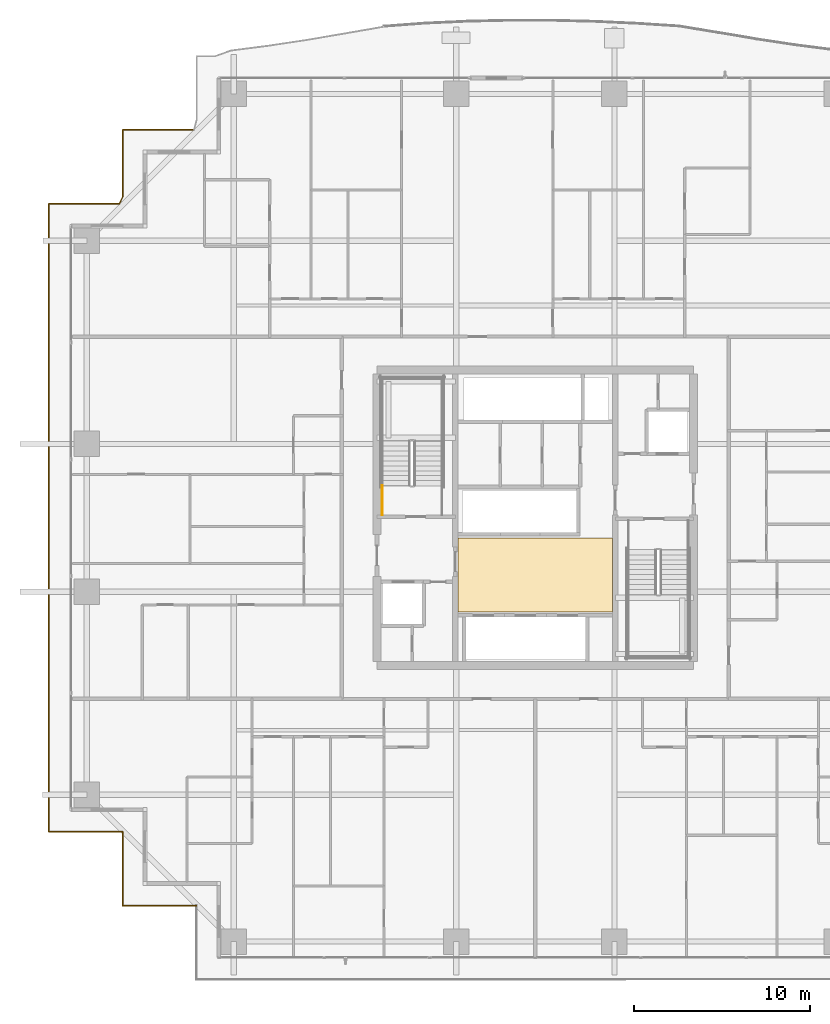
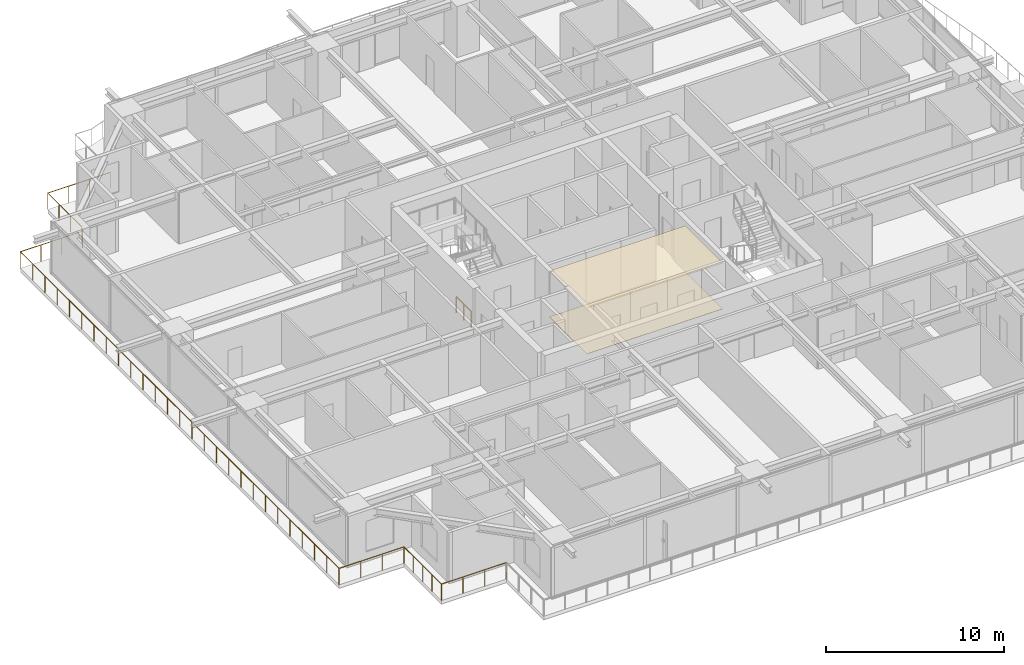
# One storey, part 35 of 39: 2 coverings, 2 railings.
"""IFC4 building model written with IfcOpenShell, lengths in metres."""

from ifc_helpers import new_model, si_unit, direction, frame, origin, origin_2d, place, context, subcontext, project, spatial, polyline, circle, outline, extrude, material, layer, layer_set, type_object, element, save


model = new_model("IFC4")

# Units and contexts
model_context = context("Model", 3, precision=1e-05, world=origin(), true_north=direction((0.0, 1.0)))
body_context = subcontext(model_context, "Body", "Model", "MODEL_VIEW")
ifc_project = project(units=[si_unit("LENGTHUNIT", "METRE"), si_unit("AREAUNIT", "SQUARE_METRE"), si_unit("VOLUMEUNIT", "CUBIC_METRE"), si_unit("PLANEANGLEUNIT", "RADIAN"), si_unit("MASSUNIT", "GRAM", prefix="KILO")], contexts=[model_context])

# Site, building, storey
site_placement = place(None, origin())
site = spatial("IfcSite", under=ifc_project, at=site_placement, CompositionType="ELEMENT")
building_placement = place(site_placement, origin())
building = spatial("IfcBuilding", under=site, at=building_placement, Name="Serunith Strait Residences", CompositionType="ELEMENT")
storey_placement = place(building_placement, frame((0.0, 0.0, 97.949951171875)))
storey = spatial("IfcBuildingStorey", under=building, at=storey_placement, Name="L24", CompositionType="ELEMENT", Elevation=97.949951171875)

# Coverings
ifc_material_1 = material(Name="Perforated acoustic gypsum ceiling tile")
ifc_layer_1 = layer(ifc_material_1, 0.02490234375, Name="Perforated acoustic gypsum ceiling tile")
ifc_layer_set_1 = layer_set([ifc_layer_1], Name="Perforated acoustic gypsum ceiling tile")
covering_type_1 = type_object("IfcCoveringType", Name="COV-CEIL-AC60", PredefinedType="CEILING", material=ifc_layer_set_1)
covering_1_placement = place(storey_placement, frame((0.0, 0.0, 3.14013671875)))
element("IfcCovering", 1, at=covering_1_placement, inside=storey, type_object=covering_type_1, Name="L24 Lift Lobby Acoustic Ceiling", PredefinedType="CEILING", context=body_context, shape_type="SweptSolid", body=[
    extrude(outline(polyline([(28.0, 19.85009765625), (36.800048828125, 19.85009765625), (36.800048828125, 24.050048828125), (28.0, 24.050048828125), (28.0, 19.85009765625)])), origin(), (0.0, 0.0, 1.0), 0.02490234375),
])
ifc_material_2 = material(Name="Honed limestone terrazzo flooring", Category="masonry")
ifc_layer_2 = layer(ifc_material_2, 0.02001953125, Name="Honed limestone terrazzo flooring")
ifc_layer_set_2 = layer_set([ifc_layer_2], Name="Honed limestone terrazzo flooring")
covering_type_2 = type_object("IfcCoveringType", Name="COV-FLOOR-TER40", PredefinedType="FLOORING", material=ifc_layer_set_2)
covering_2_placement = place(storey_placement, origin())
element("IfcCovering", 2, at=covering_2_placement, inside=storey, type_object=covering_type_2, Name="L24 Lift Lobby Terrazzo Flooring", PredefinedType="FLOORING", context=body_context, shape_type="SweptSolid", body=[
    extrude(outline(polyline([(28.0, 19.85009765625), (36.800048828125, 19.85009765625), (36.800048828125, 24.050048828125), (28.0, 24.050048828125), (28.0, 19.85009765625)])), origin(), (0.0, 0.0, 1.0), 0.02001953125),
])

# Railings
ifc_material_3 = material(Name="Stainless Steel & Laminated Glass Balustrade", Category="steel")
railing_type_1 = type_object("IfcRailingType", Name="RLG-BALC-1150", PredefinedType="BALUSTRADE", material=ifc_material_3)
railing_1_placement = place(storey_placement, frame((13.139892578125, 3.139892578125, -0.050048828125)))
element("IfcRailing", 3, at=railing_1_placement, inside=storey, type_object=railing_type_1, Name="L24 Swirling Balcony Perimeter Balustrade 8", PredefinedType="BALUSTRADE", context=body_context, shape_type="SweptSolid", body=[
    extrude(circle(Radius=0.02392578125, at=origin_2d()), frame((-0.001953125, 0.0, 1.1259765625), z_axis=(-1.0, 0.0, 0.0), x_axis=(0.0, -1.0, 0.0)), (0.0, 0.0, 1.0), 4.196044921875),
    extrude(circle(Radius=0.02392578125, at=origin_2d()), frame((-4.199951171875, 0.001953125, 1.1259765625), z_axis=(0.0, 1.0, 0.0), x_axis=(-1.0, 0.0, 0.0)), (0.0, 0.0, 1.0), 4.1962890625),
    extrude(circle(Radius=0.02392578125, at=origin_2d()), frame((-4.201904296875, 4.2001953125, 1.1259765625), z_axis=(-1.0, 0.0, 0.0), x_axis=(0.0, -1.0, 0.0)), (0.0, 0.0, 1.0), 4.196044921875),
    extrude(circle(Radius=0.02392578125, at=origin_2d()), frame((-8.39990234375, 4.2021484375, 1.1259765625), z_axis=(0.0, 1.0, 0.0), x_axis=(-1.0, 0.0, 0.0)), (0.0, 0.0, 1.0), 35.716064453125),
    extrude(circle(Radius=0.02392578125, at=origin_2d()), frame((-8.39794921875, 39.920166015625, 1.1259765625), z_axis=(1.0, 0.0, 0.0), x_axis=(0.0, 1.0, 0.0)), (0.0, 0.0, 1.0), 4.014892578125),
    extrude(circle(Radius=0.02392578125, at=origin_2d()), frame((-4.38037109375, 39.921875, 1.1259765625), z_axis=(0.414518347731, 0.91004095479, 0.0), x_axis=(-0.91004095479, 0.414518347731, 0.0)), (0.0, 0.0, 1.0), 0.43310546875),
    extrude(circle(Radius=0.02392578125, at=origin_2d()), frame((-4.199951171875, 40.31982421875, 1.1259765625), z_axis=(0.0, 1.0, 0.0), x_axis=(-1.0, 0.0, 0.0)), (0.0, 0.0, 1.0), 3.79833984375),
    extrude(circle(Radius=0.02392578125, at=origin_2d()), frame((-4.197998046875, 44.1201171875, 1.1259765625), z_axis=(1.0, 0.0, 0.0), x_axis=(0.0, 1.0, 0.0)), (0.0, 0.0, 1.0), 4.038818359375),
    extrude(circle(Radius=0.02099609375, at=origin_2d()), origin(), (0.0, 0.0, 1.0), 1.099853515625),
    extrude(circle(Radius=0.02099609375, at=origin_2d()), frame((-1.39990234375, 0.0, 0.0)), (0.0, 0.0, 1.0), 1.099853515625),
    extrude(circle(Radius=0.02099609375, at=origin_2d()), frame((-2.800048828125, 0.0, 0.0)), (0.0, 0.0, 1.0), 1.099853515625),
    extrude(circle(Radius=0.02099609375, at=origin_2d()), frame((-4.199951171875, 0.0, 0.0)), (0.0, 0.0, 1.0), 1.099853515625),
    extrude(circle(Radius=0.02099609375, at=origin_2d()), frame((-4.199951171875, 1.050048828125, 0.0)), (0.0, 0.0, 1.0), 1.099853515625),
    extrude(circle(Radius=0.02099609375, at=origin_2d()), frame((-4.199951171875, 2.10009765625, 0.0)), (0.0, 0.0, 1.0), 1.099853515625),
    extrude(circle(Radius=0.02099609375, at=origin_2d()), frame((-4.199951171875, 3.150146484375, 0.0)), (0.0, 0.0, 1.0), 1.099853515625),
    extrude(circle(Radius=0.02099609375, at=origin_2d()), frame((-4.199951171875, 4.2001953125, 0.0)), (0.0, 0.0, 1.0), 1.099853515625),
    extrude(circle(Radius=0.02099609375, at=origin_2d()), frame((-5.599853515625, 4.2001953125, 0.0)), (0.0, 0.0, 1.0), 1.099853515625),
    extrude(circle(Radius=0.02099609375, at=origin_2d()), frame((-7.0, 4.2001953125, 0.0)), (0.0, 0.0, 1.0), 1.099853515625),
    extrude(circle(Radius=0.02099609375, at=origin_2d()), frame((-8.39990234375, 4.2001953125, 0.0)), (0.0, 0.0, 1.0), 1.099853515625),
    extrude(circle(Radius=0.02099609375, at=origin_2d()), frame((-8.39990234375, 5.573974609375, 0.0)), (0.0, 0.0, 1.0), 1.099853515625),
    extrude(circle(Radius=0.02099609375, at=origin_2d()), frame((-8.39990234375, 6.947998046875, 0.0)), (0.0, 0.0, 1.0), 1.099853515625),
    extrude(circle(Radius=0.02099609375, at=origin_2d()), frame((-8.39990234375, 8.32177734375, 0.0)), (0.0, 0.0, 1.0), 1.099853515625),
    extrude(circle(Radius=0.02099609375, at=origin_2d()), frame((-8.39990234375, 9.695556640625, 0.0)), (0.0, 0.0, 1.0), 1.099853515625),
    extrude(circle(Radius=0.02099609375, at=origin_2d()), frame((-8.39990234375, 11.0693359375, 0.0)), (0.0, 0.0, 1.0), 1.099853515625),
    extrude(circle(Radius=0.02099609375, at=origin_2d()), frame((-8.39990234375, 12.443359375, 0.0)), (0.0, 0.0, 1.0), 1.099853515625),
    extrude(circle(Radius=0.02099609375, at=origin_2d()), frame((-8.39990234375, 13.817138671875, 0.0)), (0.0, 0.0, 1.0), 1.099853515625),
    extrude(circle(Radius=0.02099609375, at=origin_2d()), frame((-8.39990234375, 15.19091796875, 0.0)), (0.0, 0.0, 1.0), 1.099853515625),
    extrude(circle(Radius=0.02099609375, at=origin_2d()), frame((-8.39990234375, 16.564697265625, 0.0)), (0.0, 0.0, 1.0), 1.099853515625),
    extrude(circle(Radius=0.02099609375, at=origin_2d()), frame((-8.39990234375, 17.938720703125, 0.0)), (0.0, 0.0, 1.0), 1.099853515625),
    extrude(circle(Radius=0.02099609375, at=origin_2d()), frame((-8.39990234375, 19.3125, 0.0)), (0.0, 0.0, 1.0), 1.099853515625),
    extrude(circle(Radius=0.02099609375, at=origin_2d()), frame((-8.39990234375, 20.686279296875, 0.0)), (0.0, 0.0, 1.0), 1.099853515625),
    extrude(circle(Radius=0.02099609375, at=origin_2d()), frame((-8.39990234375, 22.06005859375, 0.0)), (0.0, 0.0, 1.0), 1.099853515625),
    extrude(circle(Radius=0.02099609375, at=origin_2d()), frame((-8.39990234375, 23.43408203125, 0.0)), (0.0, 0.0, 1.0), 1.099853515625),
    extrude(circle(Radius=0.02099609375, at=origin_2d()), frame((-8.39990234375, 24.807861328125, 0.0)), (0.0, 0.0, 1.0), 1.099853515625),
    extrude(circle(Radius=0.02099609375, at=origin_2d()), frame((-8.39990234375, 26.181640625, 0.0)), (0.0, 0.0, 1.0), 1.099853515625),
    extrude(circle(Radius=0.02099609375, at=origin_2d()), frame((-8.39990234375, 27.5556640625, 0.0)), (0.0, 0.0, 1.0), 1.099853515625),
    extrude(circle(Radius=0.02099609375, at=origin_2d()), frame((-8.39990234375, 28.929443359375, 0.0)), (0.0, 0.0, 1.0), 1.099853515625),
    extrude(circle(Radius=0.02099609375, at=origin_2d()), frame((-8.39990234375, 30.30322265625, 0.0)), (0.0, 0.0, 1.0), 1.099853515625),
    extrude(circle(Radius=0.02099609375, at=origin_2d()), frame((-8.39990234375, 31.677001953125, 0.0)), (0.0, 0.0, 1.0), 1.099853515625),
    extrude(circle(Radius=0.02099609375, at=origin_2d()), frame((-8.39990234375, 33.051025390625, 0.0)), (0.0, 0.0, 1.0), 1.099853515625),
    extrude(circle(Radius=0.02099609375, at=origin_2d()), frame((-8.39990234375, 34.4248046875, 0.0)), (0.0, 0.0, 1.0), 1.099853515625),
    extrude(circle(Radius=0.02099609375, at=origin_2d()), frame((-8.39990234375, 35.798583984375, 0.0)), (0.0, 0.0, 1.0), 1.099853515625),
    extrude(circle(Radius=0.02099609375, at=origin_2d()), frame((-8.39990234375, 37.17236328125, 0.0)), (0.0, 0.0, 1.0), 1.099853515625),
    extrude(circle(Radius=0.02099609375, at=origin_2d()), frame((-8.39990234375, 38.54638671875, 0.0)), (0.0, 0.0, 1.0), 1.099853515625),
    extrude(circle(Radius=0.02099609375, at=origin_2d()), frame((-8.39990234375, 39.920166015625, 0.0)), (0.0, 0.0, 1.0), 1.099853515625),
    extrude(circle(Radius=0.02099609375, at=origin_2d()), frame((-7.060302734375, 39.920166015625, 0.0)), (0.0, 0.0, 1.0), 1.099853515625),
    extrude(circle(Radius=0.02099609375, at=origin_2d()), frame((-5.720703125, 39.920166015625, 0.0)), (0.0, 0.0, 1.0), 1.099853515625),
    extrude(circle(Radius=0.02099609375, at=origin_2d()), frame((-4.381103515625, 39.920166015625, 0.0)), (0.0, 0.0, 1.0), 1.099853515625),
    extrude(circle(Radius=0.02099609375, at=origin_2d()), frame((-4.199951171875, 40.31787109375, 0.0)), (0.0, 0.0, 1.0), 1.099853515625),
    extrude(circle(Radius=0.02099609375, at=origin_2d()), frame((-4.199951171875, 41.585205078125, 0.0)), (0.0, 0.0, 1.0), 1.099853515625),
    extrude(circle(Radius=0.02099609375, at=origin_2d()), frame((-4.199951171875, 42.852783203125, 0.0)), (0.0, 0.0, 1.0), 1.099853515625),
    extrude(circle(Radius=0.02099609375, at=origin_2d()), frame((-4.199951171875, 44.1201171875, 0.0)), (0.0, 0.0, 1.0), 1.099853515625),
    extrude(circle(Radius=0.02099609375, at=origin_2d()), frame((-2.852294921875, 44.1201171875, 0.0)), (0.0, 0.0, 1.0), 1.099853515625),
    extrude(circle(Radius=0.02099609375, at=origin_2d()), frame((-1.5048828125, 44.1201171875, 0.0)), (0.0, 0.0, 1.0), 1.099853515625),
    extrude(circle(Radius=0.02099609375, at=origin_2d()), frame((-0.1572265625, 44.1201171875, 0.0)), (0.0, 0.0, 1.0), 1.099853515625),
])
ifc_material_4 = material(Name="Brushed stainless steel 316L", Category="steel")
railing_type_2 = type_object("IfcRailingType", Name="RLG-STAIR-GUARD", PredefinedType="BALUSTRADE", material=ifc_material_4)
railing_2_placement = place(storey_placement, frame((23.699951171875, 25.35009765625, 0.0)))
element("IfcRailing", 4, at=railing_2_placement, inside=storey, type_object=railing_type_2, Name="L24 ST-1 stair guard 9", PredefinedType="BALUSTRADE", context=body_context, shape_type="SweptSolid", body=[
    extrude(circle(Radius=0.02392578125, at=origin_2d()), frame((0.0, 0.001953125, 1.076171875), z_axis=(0.0, 1.0, 0.0), x_axis=(-1.0, 0.0, 0.0)), (0.0, 0.0, 1.0), 1.676025390625),
    extrude(circle(Radius=0.02099609375, at=origin_2d()), origin(), (0.0, 0.0, 1.0), 1.050048828125),
    extrude(circle(Radius=0.02099609375, at=origin_2d()), frame((0.0, 0.83984375, 0.0)), (0.0, 0.0, 1.0), 1.050048828125),
    extrude(circle(Radius=0.02099609375, at=origin_2d()), frame((0.0, 1.679931640625, 0.0)), (0.0, 0.0, 1.0), 1.050048828125),
])

save(model, "model.ifc")
